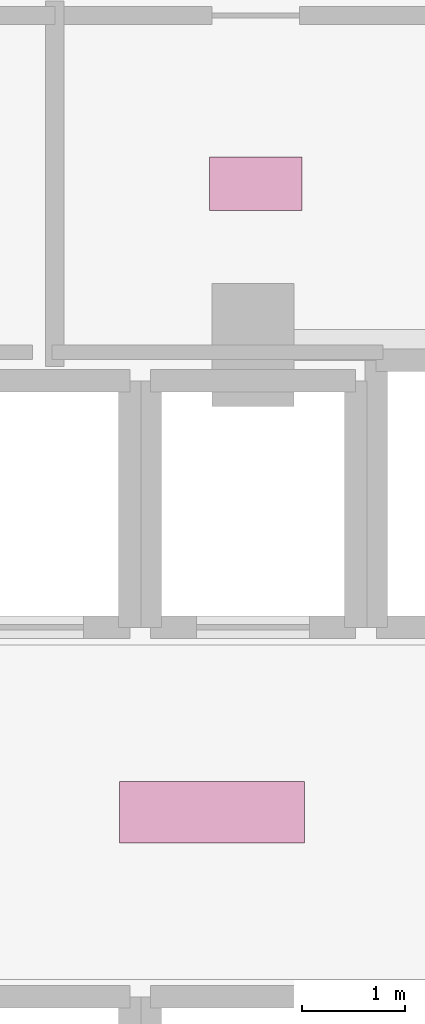
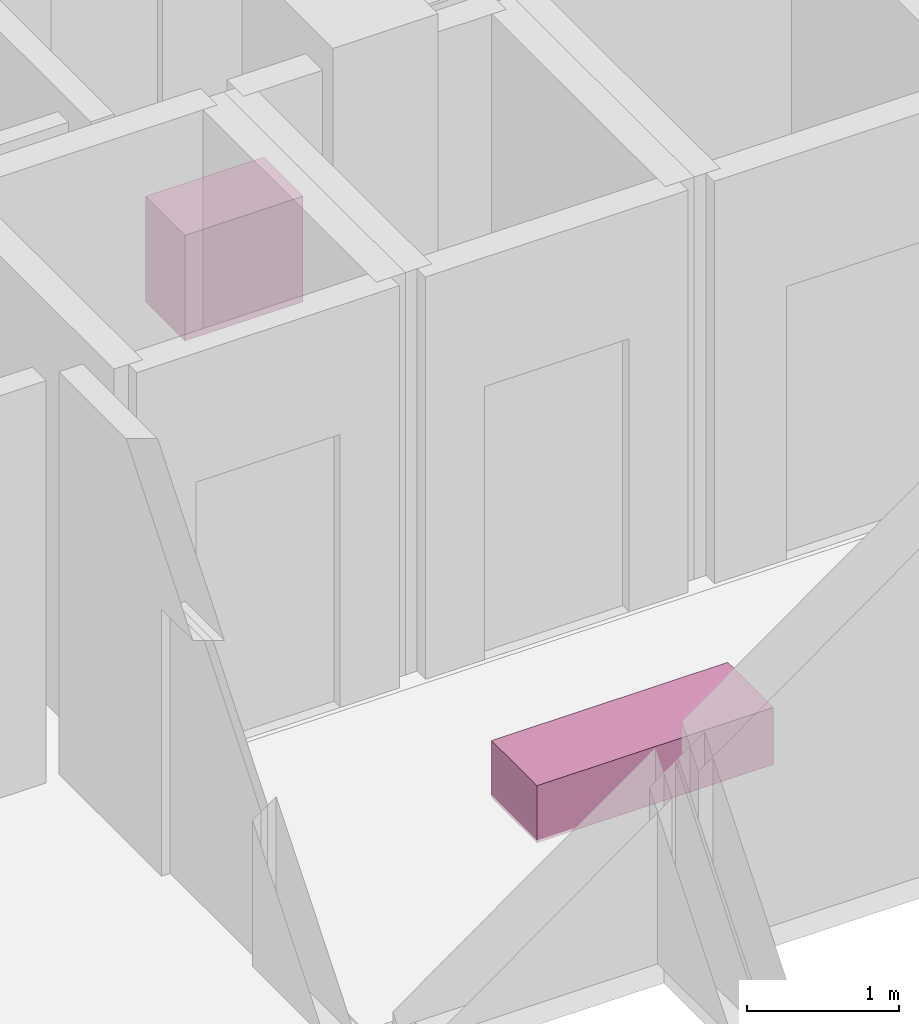
# One storey, part 30 of 30: 2 furnishings.
"""IFC4 building model written with IfcOpenShell, lengths in metres."""

from ifc_helpers import new_model, si_unit, direction, frame, origin, origin_2d, place, context, subcontext, project, spatial, rectangle, extrude, material, type_object, element, save


model = new_model("IFC4")

# Units and contexts
model_context = context("Model", 3, precision=1e-05, world=origin(), true_north=direction((0.0, 1.0)))
body_context = subcontext(model_context, "Body", "Model", "MODEL_VIEW")
ifc_project = project(units=[si_unit("LENGTHUNIT", "METRE"), si_unit("AREAUNIT", "SQUARE_METRE"), si_unit("VOLUMEUNIT", "CUBIC_METRE"), si_unit("PLANEANGLEUNIT", "RADIAN"), si_unit("MASSUNIT", "GRAM", prefix="KILO")], contexts=[model_context])

# Site, building, storey
site_placement = place(None, origin())
site = spatial("IfcSite", under=ifc_project, at=site_placement, CompositionType="ELEMENT")
building_placement = place(site_placement, origin())
building = spatial("IfcBuilding", under=site, at=building_placement, Name="Vorneva Point Tower", CompositionType="ELEMENT")
storey_placement = place(building_placement, frame((0.0, 0.0, 96.300048828125)))
storey = spatial("IfcBuildingStorey", under=building, at=storey_placement, Name="L25", CompositionType="ELEMENT", Elevation=96.300048828125)

# Furnishings
ifc_material_1 = material(Name="Engineered oak fire-rated door leaf", Category="wood")
furniture_type_1 = type_object("IfcFurnitureType", Name="FUR-BNC-1800", AssemblyPlace="NOTDEFINED", PredefinedType="NOTDEFINED", material=ifc_material_1)
furnishing_1_placement = place(storey_placement, frame((35.0, 26.0, -0.005126953125), z_axis=(0.0, 0.0, 1.0), x_axis=(1.0, 0.0, 0.0)))
element("IfcFurnishingElement", 1, at=furnishing_1_placement, inside=storey, type_object=furniture_type_1, Name="L25 Lift Lobby Seating Bench", ObjectType="L25 Lift Lobby Seating Bench", context=body_context, shape_type="SweptSolid", body=[
    extrude(rectangle(XDim=1.800048828125, YDim=0.60009765625, at=origin_2d()), origin(), (0.0, 0.0, 1.0), 0.4599609375),
])
ifc_material_2 = material(Name="Vitreous china and granite top", Category="masonry")
furniture_type_2 = type_object("IfcFurnitureType", Name="FUR-VAN-900", AssemblyPlace="NOTDEFINED", PredefinedType="NOTDEFINED", material=ifc_material_2)
furnishing_2_placement = place(storey_placement, frame((35.425048828125, 32.1201171875, -0.005126953125), z_axis=(0.0, 0.0, 1.0), x_axis=(1.0, 0.0, 0.0)))
element("IfcFurnishingElement", 2, at=furnishing_2_placement, inside=storey, type_object=furniture_type_2, Name="L25 Accessible WC Vanity Unit", ObjectType="L25 Accessible WC Vanity Unit", context=body_context, shape_type="SweptSolid", body=[
    extrude(rectangle(XDim=0.89990234375, YDim=0.52001953125, at=origin_2d()), origin(), (0.0, 0.0, 1.0), 0.85009765625),
])

save(model, "model.ifc")
